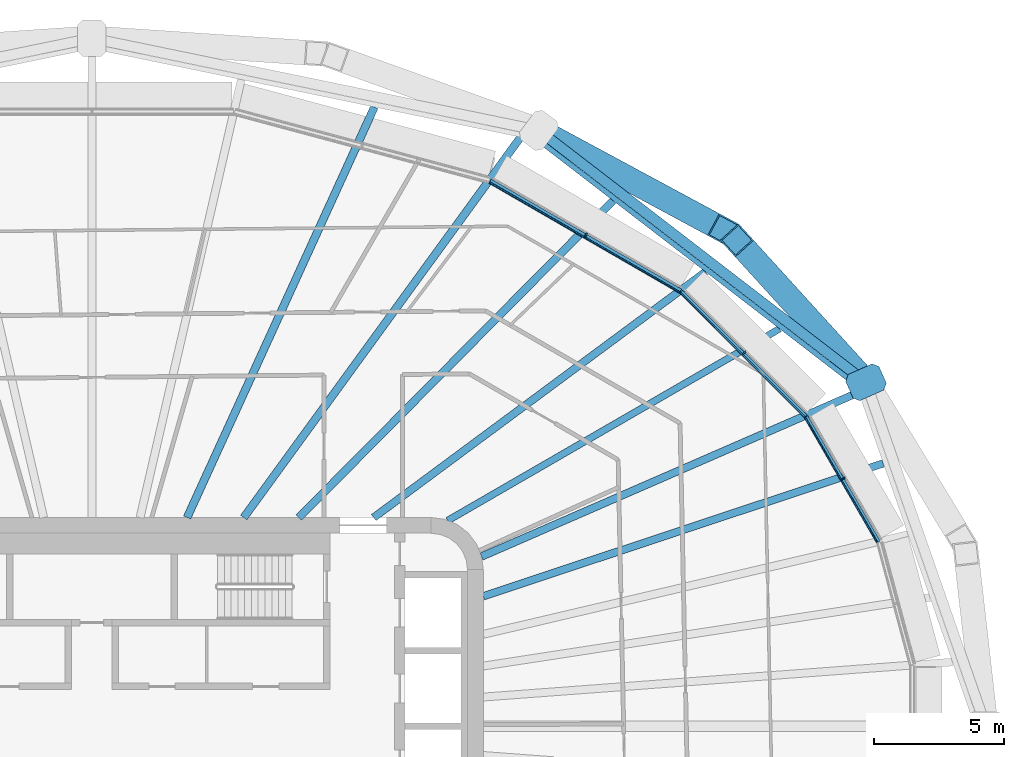
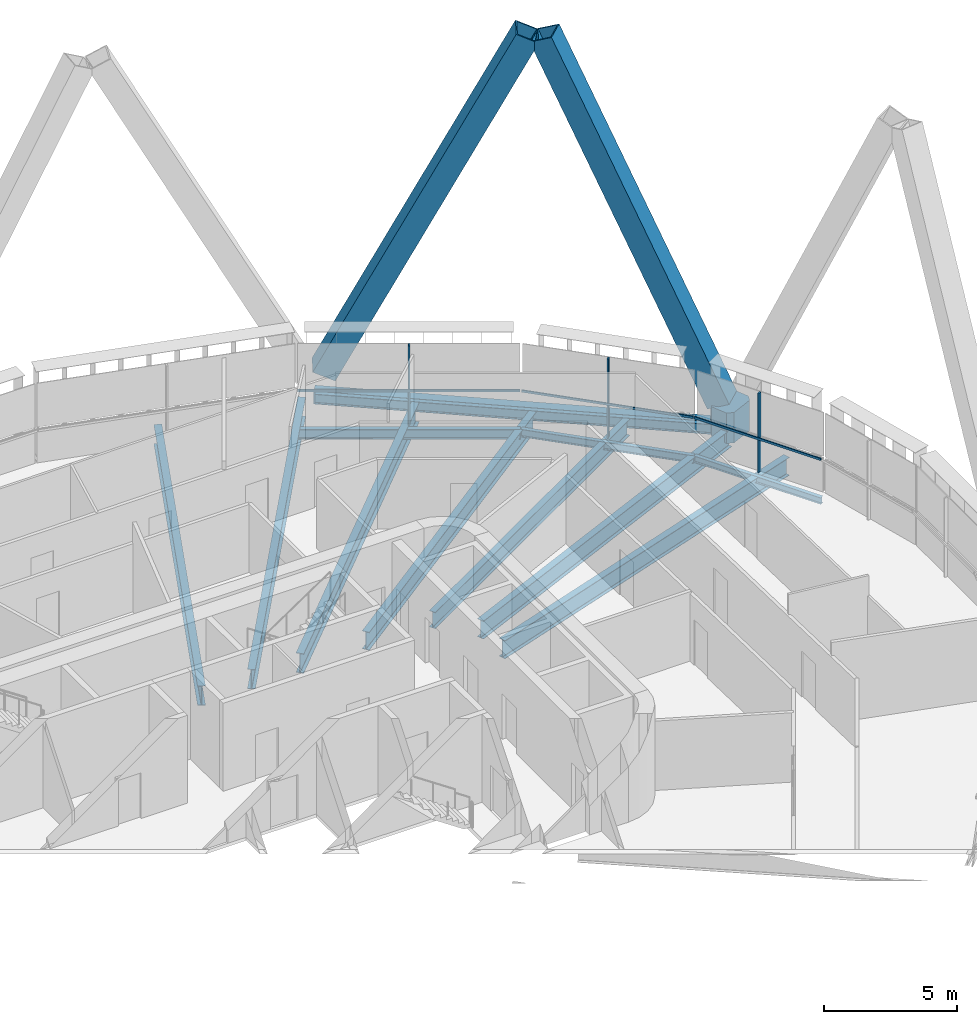
# One storey, part 9 of 25: 12 beams, 9 members, 3 elements without a shape of their own.
"""IFC4 building model written with IfcOpenShell, lengths in metres."""

from ifc_helpers import new_model, si_unit, direction, frame, origin, origin_2d, place, context, subcontext, project, spatial, polyline, rectangle, hollow_rectangle, i_section, outline, extrude, material, layer, layer_set, material_profile, profile_set, type_object, element, aggregate, save


model = new_model("IFC4")

# Units and contexts
model_context = context("Model", 3, precision=1e-05, world=origin(), true_north=direction((0.0, 1.0)))
body_context = subcontext(model_context, "Body", "Model", "MODEL_VIEW")
ifc_project = project(units=[si_unit("LENGTHUNIT", "METRE"), si_unit("AREAUNIT", "SQUARE_METRE"), si_unit("VOLUMEUNIT", "CUBIC_METRE"), si_unit("PLANEANGLEUNIT", "RADIAN"), si_unit("MASSUNIT", "GRAM", prefix="KILO")], contexts=[model_context])

# Site, building, storey
site_placement = place(None, origin())
site = spatial("IfcSite", under=ifc_project, at=site_placement, CompositionType="ELEMENT")
building_placement = place(site_placement, origin())
building = spatial("IfcBuilding", under=site, at=building_placement, Name="Sahrelin Media Tower", CompositionType="ELEMENT")
storey_placement = place(building_placement, frame((0.0, 0.0, 79.800048828125)))
storey = spatial("IfcBuildingStorey", under=building, at=storey_placement, Name="L14", CompositionType="ELEMENT", Elevation=79.800048828125)

# Members
ifc_material_1 = material(Name="Steel S460", Category="steel")
ifc_material_profile_1 = material_profile(ifc_material_1, hollow_rectangle(XDim=0.949951171875, YDim=0.949951171875, WallThickness=0.054931640625, at=origin_2d()), Name="Diagrid diagonal DG2")
ifc_profile_set_1 = profile_set([ifc_material_profile_1], Name="Steel S460")
member_type_1 = type_object("IfcMemberType", Name="Diagrid diagonal DG2", PredefinedType="BRACE", material=ifc_profile_set_1)
member_1_placement = place(storey_placement, frame((29.448486328125, 13.41845703125, 0.699951171875), z_axis=(-0.279512782361, 0.30735879086, 0.90961705029), x_axis=(-0.739825407154, -0.672798905267, 0.0)))
element("IfcMember", 1, at=member_1_placement, inside=storey, type_object=member_type_1, Name="Diagrid diagonal D02-02", PredefinedType="BRACE", context=body_context, shape_type="SweptSolid", body=[
    extrude(hollow_rectangle(XDim=0.949951171875, YDim=0.949951171875, WallThickness=0.054931640625, at=origin_2d()), origin(), (0.0, 0.0, 1.0), 16.93017578125),
])
member_2_placement = place(storey_placement, frame((17.43359375, 22.66650390625, 0.699951171875), z_axis=(0.392849086991, -0.211661810358, 0.894912773898), x_axis=(0.474321630663, 0.880351629001, 0.0)))
element("IfcMember", 2, at=member_2_placement, inside=storey, type_object=member_type_1, Name="Diagrid diagonal D02-03", PredefinedType="BRACE", context=body_context, shape_type="SweptSolid", body=[
    extrude(hollow_rectangle(XDim=0.949951171875, YDim=0.949951171875, WallThickness=0.054931640625, at=origin_2d()), origin(), (0.0, 0.0, 1.0), 17.208251953125),
])
ifc_material_profile_2 = material_profile(ifc_material_1, outline(polyline([(0.5, -0.550048828125), (0.699951171875, -0.35009765625), (0.699951171875, 0.35009765625), (0.5, 0.550048828125), (-0.5, 0.550048828125), (-0.699951171875, 0.35009765625), (-0.699951171875, -0.35009765625), (-0.5, -0.550048828125), (0.5, -0.550048828125)])), Name="Diagrid node block 1400")
ifc_profile_set_2 = profile_set([ifc_material_profile_2], Name="Steel S460")
member_type_2 = type_object("IfcMemberType", Name="Diagrid node block 1400", PredefinedType="USERDEFINED", material=ifc_profile_set_2)
member_3_placement = place(storey_placement, frame((29.66357421875, 13.181884765625, -0.699951171875), z_axis=(0.0, 0.0, 1.0), x_axis=(0.913832734584, 0.406090794285, 0.0)))
element("IfcMember", 3, at=member_3_placement, inside=storey, type_object=member_type_2, Name="Diagrid node N02-01", ObjectType="NODE", PredefinedType="USERDEFINED", context=body_context, shape_type="SweptSolid", body=[
    extrude(outline(polyline([(0.5, -0.550048828125), (0.699951171875, -0.35009765625), (0.699951171875, 0.35009765625), (0.5, 0.550048828125), (-0.5, 0.550048828125), (-0.699951171875, 0.35009765625), (-0.699951171875, -0.35009765625), (-0.5, -0.550048828125), (0.5, -0.550048828125)])), origin(), (0.0, 0.0, 1.0), 1.39990234375),
])

# Beams
ifc_material_profile_3 = material_profile(ifc_material_1, hollow_rectangle(XDim=0.39990234375, YDim=0.60009765625, WallThickness=0.030029296875, at=origin_2d()), Name="Diagrid ring beam RB1")
ifc_profile_set_3 = profile_set([ifc_material_profile_3], Name="Steel S460")
beam_type_1 = type_object("IfcBeamType", Name="Diagrid ring beam RB1", PredefinedType="BEAM", material=ifc_profile_set_3)
beam_1_placement = place(storey_placement, frame((29.66357421875, 13.181884765625, -0.449951171875), z_axis=(-0.792439810802, 0.609950117843, 0.0), x_axis=(-0.609950117843, -0.792439810802, 0.0)))
element("IfcBeam", 4, at=beam_1_placement, inside=storey, type_object=beam_type_1, Name="Diagrid ring beam RB02-01", PredefinedType="BEAM", context=body_context, shape_type="SweptSolid", body=[
    extrude(hollow_rectangle(XDim=0.39990234375, YDim=0.60009765625, WallThickness=0.030029296875, at=origin_2d()), origin(), (0.0, 0.0, 1.0), 15.8212890625),
])
ifc_material_2 = material(Name="Steel S355", Category="steel")
ifc_material_profile_4 = material_profile(ifc_material_2, i_section(OverallWidth=0.1650390625, OverallDepth=0.303466796875, WebThickness=0.006103515625, FlangeThickness=0.01025390625, FilletRadius=0.0087890625, at=origin_2d()), Name="UB 305x165x40")
ifc_profile_set_4 = profile_set([ifc_material_profile_4], Name="Steel S355")
beam_type_2 = type_object("IfcBeamType", Name="Edge beam EB2", PredefinedType="BEAM", material=ifc_profile_set_4)
beam_2_placement = place(storey_placement, frame((27.36279296875, 11.860107421875, -0.3017578125), z_axis=(0.500032921827, -0.866006395524, 0.0), x_axis=(0.866006395524, 0.500032921827, 0.0)))
element("IfcBeam", 5, at=beam_2_placement, inside=storey, type_object=beam_type_2, Name="Edge beam L14-23", PredefinedType="BEAM", context=body_context, shape_type="SweptSolid", body=[
    extrude(i_section(OverallWidth=0.1650390625, OverallDepth=0.303466796875, WebThickness=0.006103515625, FlangeThickness=0.01025390625, FilletRadius=0.0087890625, at=origin_2d()), origin(), (0.0, 0.0, 1.0), 5.536376953125),
])
ifc_material_profile_5 = material_profile(ifc_material_2, i_section(OverallWidth=0.17138671875, OverallDepth=0.35498046875, WebThickness=0.00732421875, FlangeThickness=0.011474609375, FilletRadius=0.01025390625, at=origin_2d()), Name="UB 356x171x51")
ifc_profile_set_5 = profile_set([ifc_material_profile_5], Name="Steel S355")
beam_type_3 = type_object("IfcBeamType", Name="Edge beam EB3", PredefinedType="BEAM", material=ifc_profile_set_5)
beam_3_placement = place(storey_placement, frame((22.576904296875, 16.6513671875, -0.32763671875), z_axis=(0.707106781187, -0.707106781187, 0.0), x_axis=(0.707106781187, 0.707106781187, 0.0)))
element("IfcBeam", 6, at=beam_3_placement, inside=storey, type_object=beam_type_3, Name="Edge beam L14-22", PredefinedType="BEAM", context=body_context, shape_type="SweptSolid", body=[
    extrude(i_section(OverallWidth=0.17138671875, OverallDepth=0.35498046875, WebThickness=0.00732421875, FlangeThickness=0.011474609375, FilletRadius=0.01025390625, at=origin_2d()), origin(), (0.0, 0.0, 1.0), 6.743408203125),
])
ifc_material_profile_6 = material_profile(ifc_material_2, i_section(OverallWidth=0.1904296875, OverallDepth=0.45703125, WebThickness=0.009033203125, FlangeThickness=0.014404296875, FilletRadius=0.01025390625, at=origin_2d()), Name="UB 457x191x74")
ifc_profile_set_6 = profile_set([ifc_material_profile_6], Name="Steel S355")
beam_type_4 = type_object("IfcBeamType", Name="Edge beam EB5", PredefinedType="BEAM", material=ifc_profile_set_6)
beam_4_placement = place(storey_placement, frame((15.257568359375, 20.881591796875, -0.378662109375), z_axis=(0.866028760111, -0.499994186627, 0.0), x_axis=(0.499994186627, 0.866028760111, 0.0)))
element("IfcBeam", 7, at=beam_4_placement, inside=storey, type_object=beam_type_4, Name="Edge beam L14-21", PredefinedType="BEAM", context=body_context, shape_type="SweptSolid", body=[
    extrude(i_section(OverallWidth=0.1904296875, OverallDepth=0.45703125, WebThickness=0.009033203125, FlangeThickness=0.014404296875, FilletRadius=0.01025390625, at=origin_2d()), origin(), (0.0, 0.0, 1.0), 8.42529296875),
])

# Curtain wall, member
ifc_material_3 = material(Name="Champagne anodised aluminium 6063-T6", Category="aluminium")
ifc_layer = layer(ifc_material_3, 0.14990234375)
ifc_layer_set = layer_set([ifc_layer], Name="Tower ribbon curtain wall")
curtain_wall_type = type_object("IfcCurtainWallType", Name="Tower ribbon curtain wall", PredefinedType="NOTDEFINED", material=ifc_layer_set)
curtain_wall_1_placement = place(storey_placement, frame((28.876708984375, 9.5380859375, 0.0), z_axis=(0.0, 0.0, 1.0), x_axis=(1.0, 0.0, 0.0)))
curtain_wall_1 = element("IfcCurtainWall", 8, at=curtain_wall_1_placement, inside=storey, type_object=curtain_wall_type, Name="L14:CW:L14-02", PredefinedType="NOTDEFINED")
ifc_material_profile_7 = material_profile(ifc_material_3, rectangle(XDim=0.06005859375, YDim=0.14990234375, at=origin_2d()), Name="Mullion 60x150")
ifc_profile_set_7 = profile_set([ifc_material_profile_7], Name="Champagne anodised aluminium 6063-T6")
member_type_3 = type_object("IfcMemberType", Name="Mullion 60x150 CW1", PredefinedType="MULLION", material=ifc_profile_set_7)
member_4_placement = place(storey_placement, frame((28.79443359375, 9.490478515625, 0.0), z_axis=(0.0, 0.0, 1.0), x_axis=(-0.5, 0.866025403784, 0.0)))
member_4 = element("IfcMember", 9, at=member_4_placement, type_object=member_type_3, Name="L14:CWM:L14-02", PredefinedType="MULLION", context=body_context, shape_type="SweptSolid", body=[
    extrude(rectangle(XDim=0.06005859375, YDim=0.14990234375, at=origin_2d()), origin(), (0.0, 0.0, 1.0), 3.6484375),
])

curtain_wall_2_placement = place(storey_placement, frame((25.067138671875, 14.373291015625, 0.0), z_axis=(0.0, 0.0, 1.0), x_axis=(1.0, 0.0, 0.0)))
curtain_wall_2 = element("IfcCurtainWall", 10, at=curtain_wall_2_placement, inside=storey, type_object=curtain_wall_type, Name="L14:CW:L14-03", PredefinedType="NOTDEFINED")
member_5_placement = place(storey_placement, frame((25.0, 14.30615234375, 0.0), z_axis=(0.0, 0.0, 1.0), x_axis=(-0.707106781187, 0.707106781187, 0.0)))
member_5 = element("IfcMember", 11, at=member_5_placement, type_object=member_type_3, Name="L14:CWM:L14-03", PredefinedType="MULLION", context=body_context, shape_type="SweptSolid", body=[
    extrude(rectangle(XDim=0.06005859375, YDim=0.14990234375, at=origin_2d()), origin(), (0.0, 0.0, 1.0), 3.6484375),
])

curtain_wall_3_placement = place(storey_placement, frame((18.980712890625, 18.905029296875, 0.0), z_axis=(0.0, 0.0, 1.0), x_axis=(1.0, 0.0, 0.0)))
curtain_wall_3 = element("IfcCurtainWall", 12, at=curtain_wall_3_placement, inside=storey, type_object=curtain_wall_type, Name="L14:CW:L14-04", PredefinedType="NOTDEFINED")
member_6_placement = place(storey_placement, frame((18.933349609375, 18.822998046875, 0.0), z_axis=(0.0, 0.0, 1.0), x_axis=(-0.866027149108, 0.499996976998, 0.0)))
member_6 = element("IfcMember", 13, at=member_6_placement, type_object=member_type_3, Name="L14:CWM:L14-04", PredefinedType="MULLION", context=body_context, shape_type="SweptSolid", body=[
    extrude(rectangle(XDim=0.06005859375, YDim=0.14990234375, at=origin_2d()), origin(), (0.0, 0.0, 1.0), 3.6484375),
])

# Beams
ifc_material_profile_8 = material_profile(ifc_material_2, i_section(OverallWidth=0.291748046875, OverallDepth=0.8349609375, WebThickness=0.013916015625, FlangeThickness=0.018798828125, FilletRadius=0.017822265625, at=origin_2d()), Name="UB 838x292x176")
ifc_profile_set_8 = profile_set([ifc_material_profile_8], Name="Steel S355")
beam_type_5 = type_object("IfcBeamType", Name="Radial primary beam PB10", PredefinedType="BEAM", material=ifc_profile_set_8)
beam_5_placement = place(storey_placement, frame((14.933837890625, 6.50341796875, -0.567626953125), z_axis=(0.916840562367, 0.399253532482, 0.0), x_axis=(-0.399253532482, 0.916840562367, 0.0)))
element("IfcBeam", 14, at=beam_5_placement, inside=storey, type_object=beam_type_5, Name="Radial beam L14-03", PredefinedType="BEAM", context=body_context, shape_type="SweptSolid", body=[
    extrude(i_section(OverallWidth=0.291748046875, OverallDepth=0.8349609375, WebThickness=0.013916015625, FlangeThickness=0.018798828125, FilletRadius=0.017822265625, at=origin_2d()), origin(), (0.0, 0.0, 1.0), 15.75634765625),
])
beam_6_placement = place(storey_placement, frame((10.8017578125, 8.0, -0.567626953125), z_axis=(0.803598471395, 0.595171821218, 0.0), x_axis=(-0.595171821218, 0.803598471395, 0.0)))
element("IfcBeam", 15, at=beam_6_placement, inside=storey, type_object=beam_type_5, Name="Radial beam L14-04", PredefinedType="BEAM", context=body_context, shape_type="SweptSolid", body=[
    extrude(i_section(OverallWidth=0.291748046875, OverallDepth=0.8349609375, WebThickness=0.013916015625, FlangeThickness=0.018798828125, FilletRadius=0.017822265625, at=origin_2d()), origin(), (0.0, 0.0, 1.0), 15.8203125),
])
ifc_material_profile_9 = material_profile(ifc_material_2, i_section(OverallWidth=0.30322265625, OverallDepth=0.903076171875, WebThickness=0.01513671875, FlangeThickness=0.020263671875, FilletRadius=0.01904296875, at=origin_2d()), Name="UB 914x305x201")
ifc_profile_set_9 = profile_set([ifc_material_profile_9], Name="Steel S355")
beam_type_6 = type_object("IfcBeamType", Name="Radial primary beam PB11", PredefinedType="BEAM", material=ifc_profile_set_9)
beam_7_placement = place(storey_placement, frame((5.82177734375, 8.0, -0.6015625), z_axis=(0.588409281168, 0.808563242941, 0.0), x_axis=(-0.808563242941, 0.588409281168, 0.0)))
element("IfcBeam", 16, at=beam_7_placement, inside=storey, type_object=beam_type_6, Name="Radial beam L14-05", PredefinedType="BEAM", context=body_context, shape_type="SweptSolid", body=[
    extrude(i_section(OverallWidth=0.30322265625, OverallDepth=0.903076171875, WebThickness=0.01513671875, FlangeThickness=0.020263671875, FilletRadius=0.01904296875, at=origin_2d()), origin(), (0.0, 0.0, 1.0), 18.022705078125),
])
ifc_material_profile_10 = material_profile(ifc_material_2, i_section(OverallWidth=0.291748046875, OverallDepth=0.8349609375, WebThickness=0.013916015625, FlangeThickness=0.018798828125, FilletRadius=0.017822265625, at=origin_2d()), Name="UB 838x292x176")
ifc_profile_set_10 = profile_set([ifc_material_profile_10], Name="Steel S355")
beam_type_7 = type_object("IfcBeamType", Name="Radial secondary beam SB10", PredefinedType="BEAM", material=ifc_profile_set_10)
beam_8_placement = place(storey_placement, frame((15.0, 4.982421875, -0.567626953125), z_axis=(0.949016844351, 0.31522536246, 0.0), x_axis=(-0.31522536246, 0.949016844351, 0.0)))
element("IfcBeam", 17, at=beam_8_placement, inside=storey, type_object=beam_type_7, Name="Secondary beam L14-02", PredefinedType="BEAM", context=body_context, shape_type="SweptSolid", body=[
    extrude(i_section(OverallWidth=0.291748046875, OverallDepth=0.8349609375, WebThickness=0.013916015625, FlangeThickness=0.018798828125, FilletRadius=0.017822265625, at=origin_2d()), origin(), (0.0, 0.0, 1.0), 16.150634765625),
])
ifc_material_profile_11 = material_profile(ifc_material_2, i_section(OverallWidth=0.30322265625, OverallDepth=0.903076171875, WebThickness=0.01513671875, FlangeThickness=0.020263671875, FilletRadius=0.01904296875, at=origin_2d()), Name="UB 914x305x201")
ifc_profile_set_11 = profile_set([ifc_material_profile_11], Name="Steel S355")
beam_type_8 = type_object("IfcBeamType", Name="Radial secondary beam SB11", PredefinedType="BEAM", material=ifc_profile_set_11)
beam_9_placement = place(storey_placement, frame((7.93310546875, 8.0, -0.6015625), z_axis=(0.704137932596, 0.710063216819, 0.0), x_axis=(-0.710063216819, 0.704137932596, 0.0)))
element("IfcBeam", 18, at=beam_9_placement, inside=storey, type_object=beam_type_8, Name="Secondary beam L14-04", PredefinedType="BEAM", context=body_context, shape_type="SweptSolid", body=[
    extrude(i_section(OverallWidth=0.30322265625, OverallDepth=0.903076171875, WebThickness=0.01513671875, FlangeThickness=0.020263671875, FilletRadius=0.01904296875, at=origin_2d()), origin(), (0.0, 0.0, 1.0), 17.099365234375),
])
beam_10_placement = place(storey_placement, frame((3.650390625, 8.0, -0.6015625), z_axis=(0.415103826576, 0.909774045113, 0.0), x_axis=(-0.909774045113, 0.415103826576, 0.0)))
element("IfcBeam", 19, at=beam_10_placement, inside=storey, type_object=beam_type_8, Name="Secondary beam L14-05", PredefinedType="BEAM", context=body_context, shape_type="SweptSolid", body=[
    extrude(i_section(OverallWidth=0.30322265625, OverallDepth=0.903076171875, WebThickness=0.01513671875, FlangeThickness=0.020263671875, FilletRadius=0.01904296875, at=origin_2d()), origin(), (0.0, 0.0, 1.0), 17.287353515625),
])
ifc_material_profile_12 = material_profile(ifc_material_2, i_section(OverallWidth=0.26513671875, OverallDepth=0.75390625, WebThickness=0.0126953125, FlangeThickness=0.017578125, FilletRadius=0.0166015625, at=origin_2d()), Name="UB 762x267x147")
ifc_profile_set_12 = profile_set([ifc_material_profile_12], Name="Steel S355")
beam_type_9 = type_object("IfcBeamType", Name="Radial secondary beam SB9", PredefinedType="BEAM", material=ifc_profile_set_12)
beam_11_placement = place(storey_placement, frame((13.63720703125, 7.88232421875, -0.527099609375), z_axis=(0.865780409696, 0.500424102323, 0.0), x_axis=(-0.500424102323, 0.865780409696, 0.0)))
element("IfcBeam", 20, at=beam_11_placement, inside=storey, type_object=beam_type_9, Name="Secondary beam L14-03", PredefinedType="BEAM", context=body_context, shape_type="SweptSolid", body=[
    extrude(i_section(OverallWidth=0.26513671875, OverallDepth=0.75390625, WebThickness=0.0126953125, FlangeThickness=0.017578125, FilletRadius=0.0166015625, at=origin_2d()), origin(), (0.0, 0.0, 1.0), 14.686279296875),
])
ifc_material_profile_13 = material_profile(ifc_material_2, i_section(OverallWidth=0.1904296875, OverallDepth=0.45703125, WebThickness=0.009033203125, FlangeThickness=0.014404296875, FilletRadius=0.01025390625, at=origin_2d()), Name="UB 457x191x74")
ifc_profile_set_13 = profile_set([ifc_material_profile_13], Name="Steel S355")
beam_type_10 = type_object("IfcBeamType", Name="Tie chord TC5", PredefinedType="BEAM", material=ifc_profile_set_13)
beam_12_placement = place(storey_placement, frame((16.998046875, 22.552001953125, -0.378662109375), z_axis=(0.792438521011, -0.60995179352, 0.0), x_axis=(0.60995179352, 0.792438521011, 0.0)))
element("IfcBeam", 21, at=beam_12_placement, inside=storey, type_object=beam_type_10, Name="Tie chord L14-11", PredefinedType="BEAM", context=body_context, shape_type="SweptSolid", body=[
    extrude(i_section(OverallWidth=0.1904296875, OverallDepth=0.45703125, WebThickness=0.009033203125, FlangeThickness=0.014404296875, FilletRadius=0.01025390625, at=origin_2d()), origin(), (0.0, 0.0, 1.0), 15.662353515625),
])

# Member
ifc_material_profile_14 = material_profile(ifc_material_3, rectangle(XDim=0.050048828125, YDim=0.10009765625, at=origin_2d()), Name="Transom 50x100")
ifc_profile_set_14 = profile_set([ifc_material_profile_14], Name="Champagne anodised aluminium 6063-T6")
member_type_4 = type_object("IfcMemberType", Name="Transom 50x100 CW1", PredefinedType="USERDEFINED", material=ifc_profile_set_14)
member_7_placement = place(storey_placement, frame((30.083984375, 7.056884765625, 1.599853515625), z_axis=(-0.499969440488, 0.866043046608, 0.0), x_axis=(-0.866043046608, -0.499969440488, 0.0)))
member_7 = element("IfcMember", 22, at=member_7_placement, type_object=member_type_4, Name="L14:CWT:L14-02", ObjectType="TRANSOM", PredefinedType="USERDEFINED", context=body_context, shape_type="SweptSolid", body=[
    extrude(rectangle(XDim=0.050048828125, YDim=0.10009765625, at=origin_2d()), origin(), (0.0, 0.0, 1.0), 5.504638671875),
])

aggregate(curtain_wall_1, [member_4, member_7])

member_8_placement = place(storey_placement, frame((27.302490234375, 11.8623046875, 1.599853515625), z_axis=(-0.707106781187, 0.707106781187, 0.0), x_axis=(-0.707106781187, -0.707106781187, 0.0)))
member_8 = element("IfcMember", 23, at=member_8_placement, type_object=member_type_4, Name="L14:CWT:L14-03", ObjectType="TRANSOM", PredefinedType="USERDEFINED", context=body_context, shape_type="SweptSolid", body=[
    extrude(rectangle(XDim=0.050048828125, YDim=0.10009765625, at=origin_2d()), origin(), (0.0, 0.0, 1.0), 6.7119140625),
])

aggregate(curtain_wall_2, [member_5, member_8])

member_9_placement = place(storey_placement, frame((22.51806640625, 16.6376953125, 1.599853515625), z_axis=(-0.866020419704, 0.500008632582, 0.0), x_axis=(-0.500008632582, -0.866020419704, 0.0)))
member_9 = element("IfcMember", 24, at=member_9_placement, type_object=member_type_4, Name="L14:CWT:L14-04", ObjectType="TRANSOM", PredefinedType="USERDEFINED", context=body_context, shape_type="SweptSolid", body=[
    extrude(rectangle(XDim=0.050048828125, YDim=0.10009765625, at=origin_2d()), origin(), (0.0, 0.0, 1.0), 8.393798828125),
])

aggregate(curtain_wall_3, [member_6, member_9])

save(model, "model.ifc")
